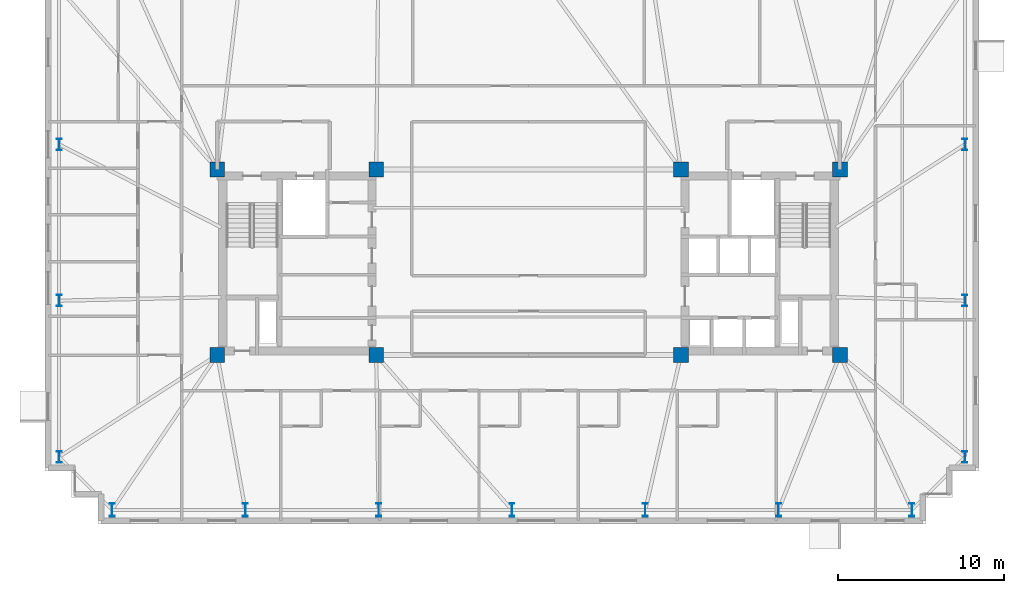
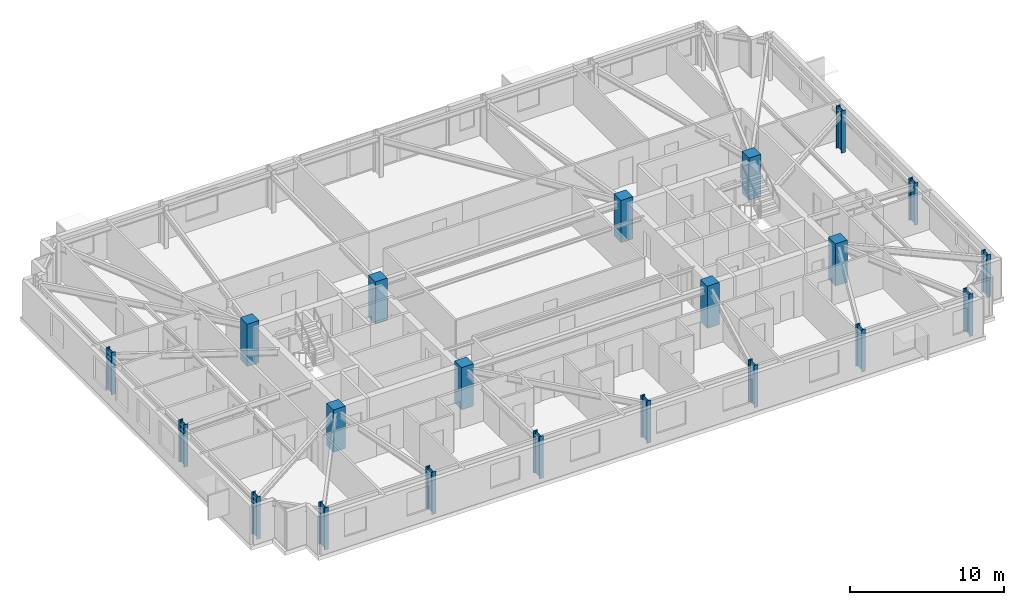
# One storey, part 1 of 18: 21 columns.
"""IFC4 building model written with IfcOpenShell, lengths in metres."""

from ifc_helpers import new_model, si_unit, direction, frame, origin, origin_2d, place, context, subcontext, project, spatial, rectangle, i_section, extrude, material, material_profile, profile_set, type_object, element, save


model = new_model("IFC4")

# Units and contexts
model_context = context("Model", 3, precision=1e-05, world=origin(), true_north=direction((0.0, 1.0)))
body_context = subcontext(model_context, "Body", "Model", "MODEL_VIEW")
ifc_project = project(units=[si_unit("LENGTHUNIT", "METRE"), si_unit("AREAUNIT", "SQUARE_METRE"), si_unit("VOLUMEUNIT", "CUBIC_METRE"), si_unit("PLANEANGLEUNIT", "RADIAN"), si_unit("MASSUNIT", "GRAM", prefix="KILO")], contexts=[model_context])

# Site, building, storey
site_placement = place(None, origin())
site = spatial("IfcSite", under=ifc_project, at=site_placement, CompositionType="ELEMENT")
building_placement = place(site_placement, origin())
building = spatial("IfcBuilding", under=site, at=building_placement, Name="Qobustan Lattice House", CompositionType="ELEMENT")
storey_placement = place(building_placement, frame((0.0, 0.0, 147.75)))
storey = spatial("IfcBuildingStorey", under=building, at=storey_placement, Name="L41", CompositionType="ELEMENT", Elevation=147.75)

# Columns
ifc_material_1 = material(Name="Concrete C50/60", Category="concrete")
ifc_material_profile_1 = material_profile(ifc_material_1, rectangle(XDim=0.89990234375, YDim=0.89990234375, at=origin_2d()), Name="RC900x900")
ifc_profile_set_1 = profile_set([ifc_material_profile_1], Name="Concrete C50/60")
column_type_1 = type_object("IfcColumnType", Name="COL-RC-900", PredefinedType="COLUMN", material=ifc_profile_set_1)
for number, where, z_axis, x_axis, name in (
    (1, (-18.800048828125, -5.60009765625, 0.0), (0.0, 0.0, 1.0), (1.0, 0.0, 0.0), "L41 core mega-column CW-SW"),
    (2, (-18.800048828125, 5.60009765625, 0.0), (0.0, 0.0, 1.0), (1.0, 0.0, 0.0), "L41 core mega-column CW-NW"),
    (3, (-9.199951171875, -5.60009765625, 0.0), (0.0, 0.0, 1.0), (1.0, 0.0, 0.0), "L41 core mega-column CW-SE"),
    (4, (-9.199951171875, 5.60009765625, 0.0), (0.0, 0.0, 1.0), (1.0, 0.0, 0.0), "L41 core mega-column CW-NE"),
    (5, (9.199951171875, -5.60009765625, 0.0), (0.0, 0.0, 1.0), (1.0, 0.0, 0.0), "L41 core mega-column CE-SW"),
    (6, (9.199951171875, 5.60009765625, 0.0), (0.0, 0.0, 1.0), (1.0, 0.0, 0.0), "L41 core mega-column CE-NW"),
    (7, (18.800048828125, -5.60009765625, 0.0), (0.0, 0.0, 1.0), (1.0, 0.0, 0.0), "L41 core mega-column CE-SE"),
    (8, (18.800048828125, 5.60009765625, 0.0), (0.0, 0.0, 1.0), (1.0, 0.0, 0.0), "L41 core mega-column CE-NE"),
):
    element("IfcColumn", number, at=place(storey_placement, frame(where, z_axis=z_axis, x_axis=x_axis)), inside=storey, type_object=column_type_1, Name=name, PredefinedType="COLUMN", context=body_context, shape_type="SweptSolid", body=[
        extrude(rectangle(XDim=0.89990234375, YDim=0.89990234375, at=origin_2d()), origin(), (0.0, 0.0, 1.0), 3.35009765625),
    ])
ifc_material_2 = material(Name="Steel S355", Category="steel")
ifc_material_profile_2 = material_profile(ifc_material_2, i_section(OverallWidth=0.300048828125, OverallDepth=0.699951171875, WebThickness=0.01708984375, FlangeThickness=0.031982421875, FilletRadius=0.027099609375, at=origin_2d()), Name="HEB700")
ifc_profile_set_2 = profile_set([ifc_material_profile_2], Name="Steel S355")
column_type_2 = type_object("IfcColumnType", Name="COL-ST-HEB700", PredefinedType="COLUMN", material=ifc_profile_set_2)
for number, where, z_axis, x_axis, name in (
    (9, (26.35009765625, -11.75, 0.0), (0.0, 0.0, 1.0), (1.0, 0.0, 0.0), "L41 B3 perimeter column E1"),
    (10, (26.35009765625, -2.316650390625, 0.0), (0.0, 0.0, 1.0), (1.0, 0.0, 0.0), "L41 B3 perimeter column E2"),
    (11, (26.35009765625, 7.11669921875, 0.0), (0.0, 0.0, 1.0), (1.0, 0.0, 0.0), "L41 B3 perimeter column E3"),
    (12, (-28.35009765625, 7.11669921875, 0.0), (0.0, 0.0, 1.0), (1.0, 0.0, 0.0), "L41 B3 perimeter column W2"),
    (13, (-28.35009765625, -2.316650390625, 0.0), (0.0, 0.0, 1.0), (1.0, 0.0, 0.0), "L41 B3 perimeter column W3"),
    (14, (-28.35009765625, -11.75, 0.0), (0.0, 0.0, 1.0), (1.0, 0.0, 0.0), "L41 B3 perimeter column W4"),
):
    element("IfcColumn", number, at=place(storey_placement, frame(where, z_axis=z_axis, x_axis=x_axis)), inside=storey, type_object=column_type_2, Name=name, PredefinedType="COLUMN", context=body_context, shape_type="SweptSolid", body=[
        extrude(i_section(OverallWidth=0.300048828125, OverallDepth=0.699951171875, WebThickness=0.01708984375, FlangeThickness=0.031982421875, FilletRadius=0.027099609375, at=origin_2d()), origin(), (0.0, 0.0, 1.0), 3.35009765625),
    ])
ifc_material_3 = material(Name="Steel S355", Category="steel")
ifc_material_profile_3 = material_profile(ifc_material_3, i_section(OverallWidth=0.300048828125, OverallDepth=0.800048828125, WebThickness=0.017578125, FlangeThickness=0.032958984375, FilletRadius=0.030029296875, at=origin_2d()), Name="HEB800")
ifc_profile_set_3 = profile_set([ifc_material_profile_3], Name="Steel S355")
column_type_3 = type_object("IfcColumnType", Name="COL-ST-HEB800", PredefinedType="COLUMN", material=ifc_profile_set_3)
for number, where, z_axis, x_axis, name in (
    (15, (-25.14990234375, -14.949951171875, 0.0), (0.0, 0.0, 1.0), (1.0, 0.0, 0.0), "L41 B3 perimeter column S1"),
    (16, (-17.10009765625, -14.949951171875, 0.0), (0.0, 0.0, 1.0), (1.0, 0.0, 0.0), "L41 B3 perimeter column S2"),
    (17, (-9.050048828125, -14.949951171875, 0.0), (0.0, 0.0, 1.0), (1.0, 0.0, 0.0), "L41 B3 perimeter column S3"),
    (18, (-1.0, -14.949951171875, 0.0), (0.0, 0.0, 1.0), (1.0, 0.0, 0.0), "L41 B3 perimeter column S4"),
    (19, (7.050048828125, -14.949951171875, 0.0), (0.0, 0.0, 1.0), (1.0, 0.0, 0.0), "L41 B3 perimeter column S5"),
    (20, (15.10009765625, -14.949951171875, 0.0), (0.0, 0.0, 1.0), (1.0, 0.0, 0.0), "L41 B3 perimeter column S6"),
    (21, (23.14990234375, -14.949951171875, 0.0), (0.0, 0.0, 1.0), (1.0, 0.0, 0.0), "L41 B3 perimeter column S7"),
):
    element("IfcColumn", number, at=place(storey_placement, frame(where, z_axis=z_axis, x_axis=x_axis)), inside=storey, type_object=column_type_3, Name=name, PredefinedType="COLUMN", context=body_context, shape_type="SweptSolid", body=[
        extrude(i_section(OverallWidth=0.300048828125, OverallDepth=0.800048828125, WebThickness=0.017578125, FlangeThickness=0.032958984375, FilletRadius=0.030029296875, at=origin_2d()), origin(), (0.0, 0.0, 1.0), 3.35009765625),
    ])

save(model, "model.ifc")
